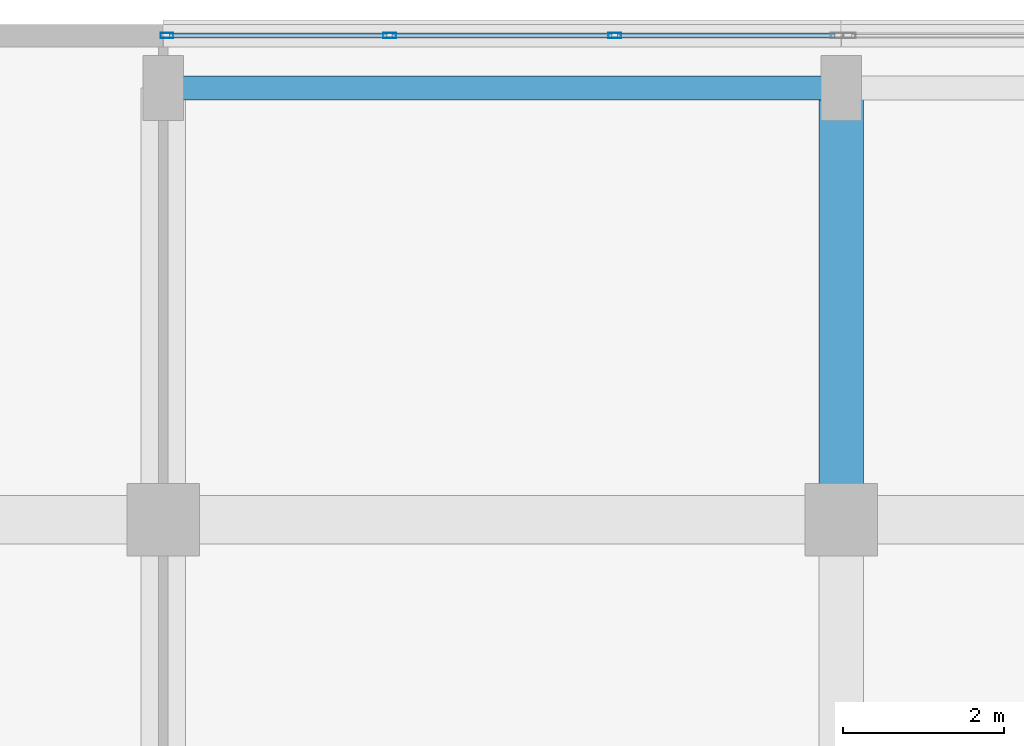
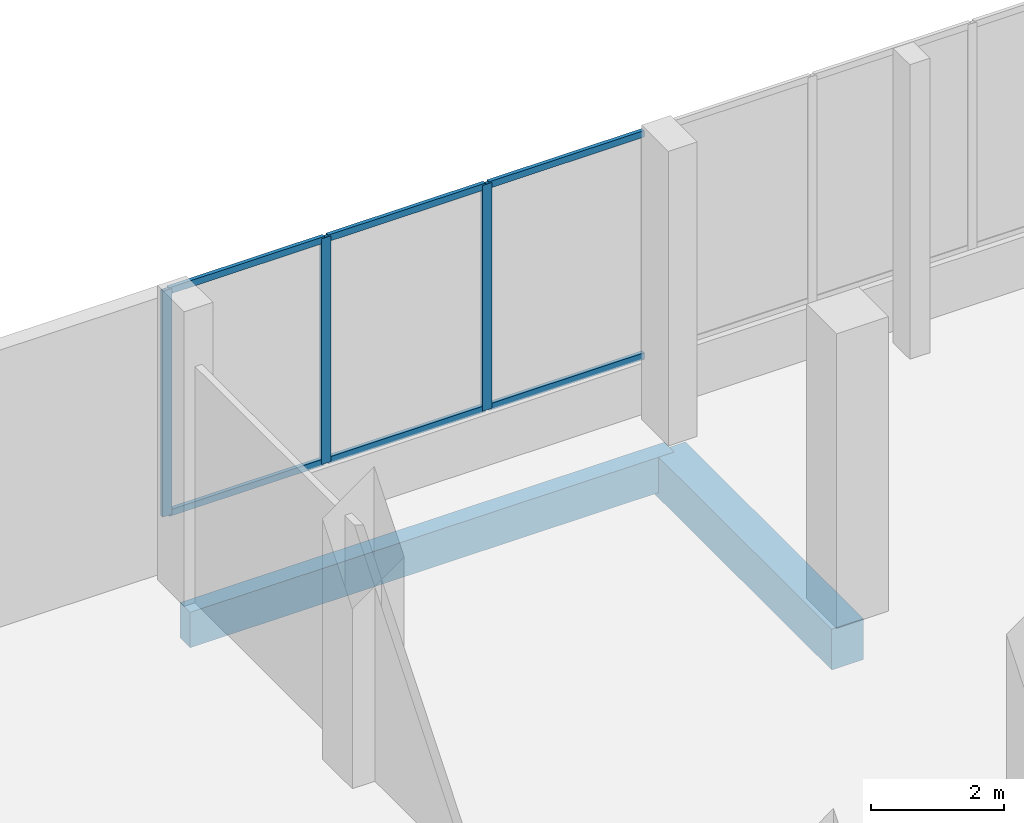
# One storey, part 74 of 158: 9 members, 2 beams, 1 element without a shape of its own.
"""IFC4 building model written with IfcOpenShell, lengths in metres."""

from ifc_helpers import new_model, si_unit, direction, frame, origin, origin_2d, place, context, subcontext, project, spatial, rectangle, hollow_rectangle, extrude, material, material_profile, profile_set, type_object, element, aggregate, save


model = new_model("IFC4")

# Units and contexts
model_context = context("Model", 3, precision=1e-05, world=origin(), true_north=direction((0.0, 1.0)))
body_context = subcontext(model_context, "Body", "Model", "MODEL_VIEW")
ifc_project = project(units=[si_unit("LENGTHUNIT", "METRE"), si_unit("AREAUNIT", "SQUARE_METRE"), si_unit("VOLUMEUNIT", "CUBIC_METRE"), si_unit("PLANEANGLEUNIT", "RADIAN"), si_unit("MASSUNIT", "GRAM", prefix="KILO")], contexts=[model_context])

# Site, building, storey
site_placement = place(None, origin())
site = spatial("IfcSite", under=ifc_project, at=site_placement, CompositionType="ELEMENT")
building_placement = place(site_placement, origin())
building = spatial("IfcBuilding", under=site, at=building_placement, Name="Selatvlak General Hospital", CompositionType="ELEMENT")
storey_placement = place(building_placement, origin())
storey = spatial("IfcBuildingStorey", under=building, at=storey_placement, Name="L00", CompositionType="ELEMENT", Elevation=0.0)

# Beams
ifc_material_1 = material(Name="Concrete C40/50", Category="concrete")
ifc_material_profile_1 = material_profile(ifc_material_1, rectangle(XDim=0.550048828125, YDim=0.75, at=origin_2d()), Name="RC-BM 550x750")
ifc_profile_set_1 = profile_set([ifc_material_profile_1], Name="Concrete C40/50")
beam_type_1 = type_object("IfcBeamType", Name="BM-G02", PredefinedType="BEAM", material=ifc_profile_set_1)
beam_1_placement = place(storey_placement, frame((31.199951171875, 114.0, -0.72509765625), z_axis=(0.0, 1.0, 0.0), x_axis=(-1.0, 0.0, 0.0)))
element("IfcBeam", 1, at=beam_1_placement, inside=storey, type_object=beam_type_1, Name="Beam BMR-L00-0173", PredefinedType="BEAM", context=body_context, shape_type="SweptSolid", body=[
    extrude(rectangle(XDim=0.550048828125, YDim=0.75, at=origin_2d()), origin(), (0.0, 0.0, 1.0), 5.35009765625),
])
ifc_material_profile_2 = material_profile(ifc_material_1, rectangle(XDim=0.300048828125, YDim=0.64990234375, at=origin_2d()), Name="RC-SP 300x650")
ifc_profile_set_2 = profile_set([ifc_material_profile_2], Name="Concrete C40/50")
beam_type_2 = type_object("IfcBeamType", Name="BM-SP1", PredefinedType="SPANDREL", material=ifc_profile_set_2)
beam_2_placement = place(storey_placement, frame((22.800048828125, 119.35009765625, -0.675048828125), z_axis=(1.0, 0.0, 0.0), x_axis=(0.0, 1.0, 0.0)))
element("IfcBeam", 2, at=beam_2_placement, inside=storey, type_object=beam_type_2, Name="Beam BMR-L00-0148", PredefinedType="SPANDREL", context=body_context, shape_type="SweptSolid", body=[
    extrude(rectangle(XDim=0.300048828125, YDim=0.64990234375, at=origin_2d()), origin(), (0.0, 0.0, 1.0), 8.39990234375),
])

# Curtain wall, members
ifc_material_2 = material(Name="Solar-control Low-E double glazing", Category="glass")
curtain_wall_type = type_object("IfcCurtainWallType", Name="CW-CW-01", PredefinedType="USERDEFINED", material=ifc_material_2)
curtain_wall_placement = place(storey_placement, origin())
curtain_wall = element("IfcCurtainWall", 3, at=curtain_wall_placement, inside=storey, type_object=curtain_wall_type, Name="Glazed facade curtain wall CW-L00-0003", ObjectType="UNITISED CURTAIN WALL", PredefinedType="USERDEFINED")
ifc_material_3 = material(Name="Dark anodised aluminium mullion", Category="aluminium")
ifc_material_profile_3 = material_profile(ifc_material_3, hollow_rectangle(XDim=0.06494140625, YDim=0.159912109375, WallThickness=0.00390625, at=origin_2d()), Name="AL-MUL 65x160x4")
ifc_profile_set_3 = profile_set([ifc_material_profile_3], Name="Dark anodised aluminium mullion")
member_type_1 = type_object("IfcMemberType", Name="CWM-01", PredefinedType="MULLION", material=ifc_profile_set_3)
member_1_placement = place(storey_placement, frame((22.847412109375, 119.9990234375, 0.93994140625), z_axis=(0.0, 0.0, 1.0), x_axis=(0.0, 1.0, 0.0)))
member_1 = element("IfcMember", 4, at=member_1_placement, type_object=member_type_1, Name="CW-01 mullion 1", PredefinedType="MULLION", context=body_context, shape_type="SweptSolid", body=[
    extrude(hollow_rectangle(XDim=0.06494140625, YDim=0.159912109375, WallThickness=0.00390625, at=origin_2d()), origin(), (0.0, 0.0, 1.0), 4.14013671875),
])
member_2_placement = place(storey_placement, frame((25.60498046875, 119.9990234375, 0.93994140625), z_axis=(0.0, 0.0, 1.0), x_axis=(0.0, 1.0, 0.0)))
member_2 = element("IfcMember", 5, at=member_2_placement, type_object=member_type_1, Name="CW-01 mullion 2", PredefinedType="MULLION", context=body_context, shape_type="SweptSolid", body=[
    extrude(hollow_rectangle(XDim=0.06494140625, YDim=0.159912109375, WallThickness=0.00390625, at=origin_2d()), origin(), (0.0, 0.0, 1.0), 4.14013671875),
])
member_3_placement = place(storey_placement, frame((28.39501953125, 119.9990234375, 0.93994140625), z_axis=(0.0, 0.0, 1.0), x_axis=(0.0, 1.0, 0.0)))
member_3 = element("IfcMember", 6, at=member_3_placement, type_object=member_type_1, Name="CW-01 mullion 3", PredefinedType="MULLION", context=body_context, shape_type="SweptSolid", body=[
    extrude(hollow_rectangle(XDim=0.06494140625, YDim=0.159912109375, WallThickness=0.00390625, at=origin_2d()), origin(), (0.0, 0.0, 1.0), 4.14013671875),
])
ifc_material_profile_4 = material_profile(ifc_material_3, hollow_rectangle(XDim=0.06494140625, YDim=0.1201171875, WallThickness=0.00390625, at=origin_2d()), Name="AL-TRN 65x120x4")
ifc_profile_set_4 = profile_set([ifc_material_profile_4], Name="Dark anodised aluminium mullion")
member_type_2 = type_object("IfcMemberType", Name="CWT-01", PredefinedType="USERDEFINED", material=ifc_profile_set_4)
member_4_placement = place(storey_placement, frame((22.8798828125, 119.9990234375, 0.972412109375), z_axis=(1.0, 0.0, 0.0), x_axis=(0.0, 1.0, 0.0)))
member_4 = element("IfcMember", 7, at=member_4_placement, type_object=member_type_2, Name="CW-01 transom 1.1", ObjectType="TRANSOM", PredefinedType="USERDEFINED", context=body_context, shape_type="SweptSolid", body=[
    extrude(hollow_rectangle(XDim=0.06494140625, YDim=0.1201171875, WallThickness=0.00390625, at=origin_2d()), origin(), (0.0, 0.0, 1.0), 2.692626953125),
])
member_5_placement = place(storey_placement, frame((22.8798828125, 119.9990234375, 5.047607421875), z_axis=(1.0, 0.0, 0.0), x_axis=(0.0, 1.0, 0.0)))
member_5 = element("IfcMember", 8, at=member_5_placement, type_object=member_type_2, Name="CW-01 transom 1.2", ObjectType="TRANSOM", PredefinedType="USERDEFINED", context=body_context, shape_type="SweptSolid", body=[
    extrude(hollow_rectangle(XDim=0.06494140625, YDim=0.1201171875, WallThickness=0.00390625, at=origin_2d()), origin(), (0.0, 0.0, 1.0), 2.692626953125),
])
member_6_placement = place(storey_placement, frame((25.637451171875, 119.9990234375, 0.972412109375), z_axis=(1.0, 0.0, 0.0), x_axis=(0.0, 1.0, 0.0)))
member_6 = element("IfcMember", 9, at=member_6_placement, type_object=member_type_2, Name="CW-01 transom 2.1", ObjectType="TRANSOM", PredefinedType="USERDEFINED", context=body_context, shape_type="SweptSolid", body=[
    extrude(hollow_rectangle(XDim=0.06494140625, YDim=0.1201171875, WallThickness=0.00390625, at=origin_2d()), origin(), (0.0, 0.0, 1.0), 2.72509765625),
])
member_7_placement = place(storey_placement, frame((25.637451171875, 119.9990234375, 5.047607421875), z_axis=(1.0, 0.0, 0.0), x_axis=(0.0, 1.0, 0.0)))
member_7 = element("IfcMember", 10, at=member_7_placement, type_object=member_type_2, Name="CW-01 transom 2.2", ObjectType="TRANSOM", PredefinedType="USERDEFINED", context=body_context, shape_type="SweptSolid", body=[
    extrude(hollow_rectangle(XDim=0.06494140625, YDim=0.1201171875, WallThickness=0.00390625, at=origin_2d()), origin(), (0.0, 0.0, 1.0), 2.72509765625),
])
member_8_placement = place(storey_placement, frame((28.427490234375, 119.9990234375, 0.972412109375), z_axis=(1.0, 0.0, 0.0), x_axis=(0.0, 1.0, 0.0)))
member_8 = element("IfcMember", 11, at=member_8_placement, type_object=member_type_2, Name="CW-01 transom 3.1", ObjectType="TRANSOM", PredefinedType="USERDEFINED", context=body_context, shape_type="SweptSolid", body=[
    extrude(hollow_rectangle(XDim=0.06494140625, YDim=0.1201171875, WallThickness=0.00390625, at=origin_2d()), origin(), (0.0, 0.0, 1.0), 2.692626953125),
])
member_9_placement = place(storey_placement, frame((28.427490234375, 119.9990234375, 5.047607421875), z_axis=(1.0, 0.0, 0.0), x_axis=(0.0, 1.0, 0.0)))
member_9 = element("IfcMember", 12, at=member_9_placement, type_object=member_type_2, Name="CW-01 transom 3.2", ObjectType="TRANSOM", PredefinedType="USERDEFINED", context=body_context, shape_type="SweptSolid", body=[
    extrude(hollow_rectangle(XDim=0.06494140625, YDim=0.1201171875, WallThickness=0.00390625, at=origin_2d()), origin(), (0.0, 0.0, 1.0), 2.692626953125),
])
aggregate(curtain_wall, [member_1, member_2, member_3, member_4, member_5, member_6, member_7, member_8, member_9])

save(model, "model.ifc")
